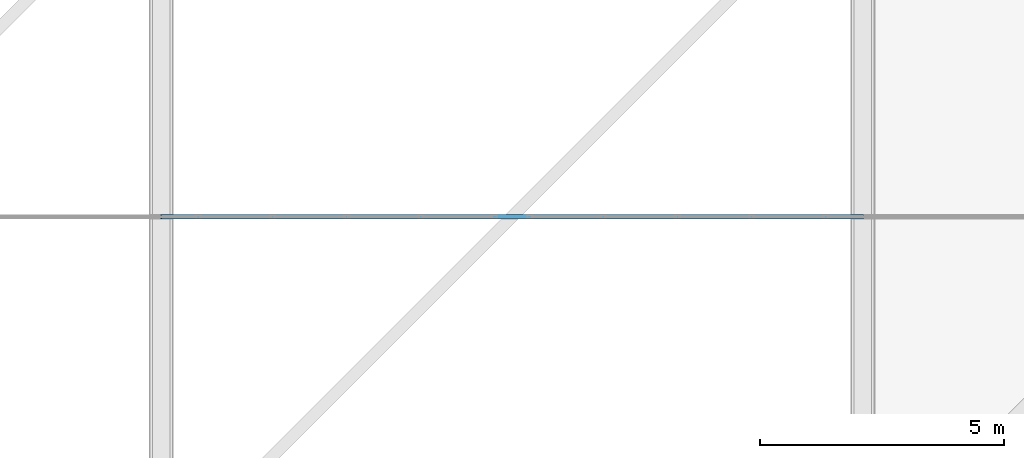
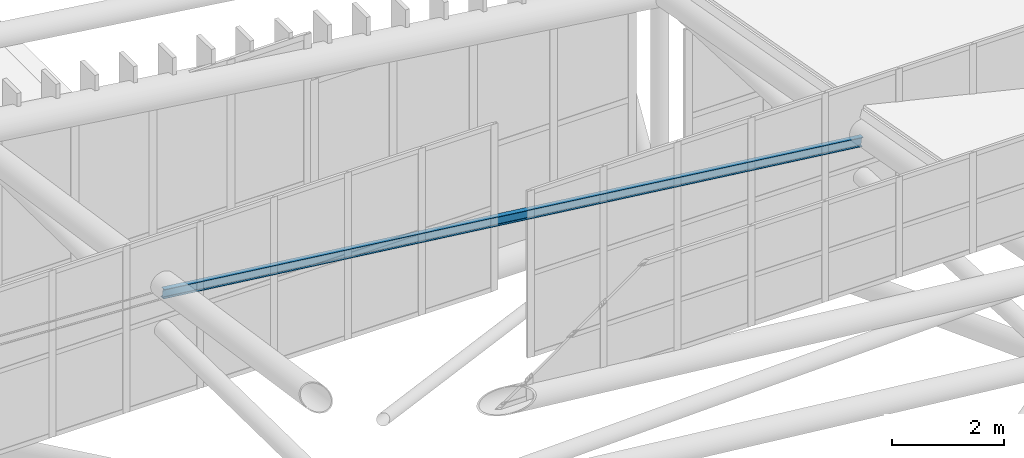
# One storey, part 320 of 397: 1 member.
"""IFC4 building model written with IfcOpenShell, lengths in metres."""

from ifc_helpers import new_model, si_unit, direction, frame, origin, origin_2d, place, context, subcontext, project, spatial, i_section, extrude, material, material_profile, profile_set, type_object, element, save


model = new_model("IFC4")

# Units and contexts
model_context = context("Model", 3, precision=1e-05, world=origin(), true_north=direction((0.0, 1.0)))
body_context = subcontext(model_context, "Body", "Model", "MODEL_VIEW")
ifc_project = project(units=[si_unit("LENGTHUNIT", "METRE"), si_unit("AREAUNIT", "SQUARE_METRE"), si_unit("VOLUMEUNIT", "CUBIC_METRE"), si_unit("PLANEANGLEUNIT", "RADIAN"), si_unit("MASSUNIT", "GRAM", prefix="KILO")], contexts=[model_context])

# Site, building, storey
site_placement = place(None, origin())
site = spatial("IfcSite", under=ifc_project, at=site_placement, CompositionType="ELEMENT")
building_placement = place(site_placement, origin())
building = spatial("IfcBuilding", under=site, at=building_placement, Name="Qandorah Velis Arena", CompositionType="ELEMENT")
storey_placement = place(building_placement, frame((0.0, 0.0, 27.5)))
storey = spatial("IfcBuildingStorey", under=building, at=storey_placement, Name="RF", CompositionType="ELEMENT", Elevation=27.5)

# Member
ifc_material = material(Name="Steel S355", Category="steel")
ifc_material_profile = material_profile(ifc_material, i_section(OverallWidth=0.10009765625, OverallDepth=0.199951171875, WebThickness=0.005615234375, FlangeThickness=0.008544921875, FilletRadius=0.011962890625, at=origin_2d()), Name="IPE 200")
ifc_profile_set = profile_set([ifc_material_profile], Name="Steel S355")
member_type = type_object("IfcMemberType", Name="STR-PRL-IPE200", PredefinedType="PURLIN", material=ifc_profile_set)
member_placement = place(storey_placement, frame((86.39990234375, 108.0, 7.659423828125), z_axis=(0.992936377451, 0.0, -0.118648010245), x_axis=(0.0, 1.0, 0.0)))
element("IfcMember", 1, at=member_placement, inside=storey, type_object=member_type, Name="Arena roof purlin PRL-5.6", PredefinedType="PURLIN", context=body_context, shape_type="SweptSolid", body=[
    extrude(i_section(OverallWidth=0.10009765625, OverallDepth=0.199951171875, WebThickness=0.005615234375, FlangeThickness=0.008544921875, FilletRadius=0.011962890625, at=origin_2d()), origin(), (0.0, 0.0, 1.0), 14.502685546875),
])

save(model, "model.ifc")
